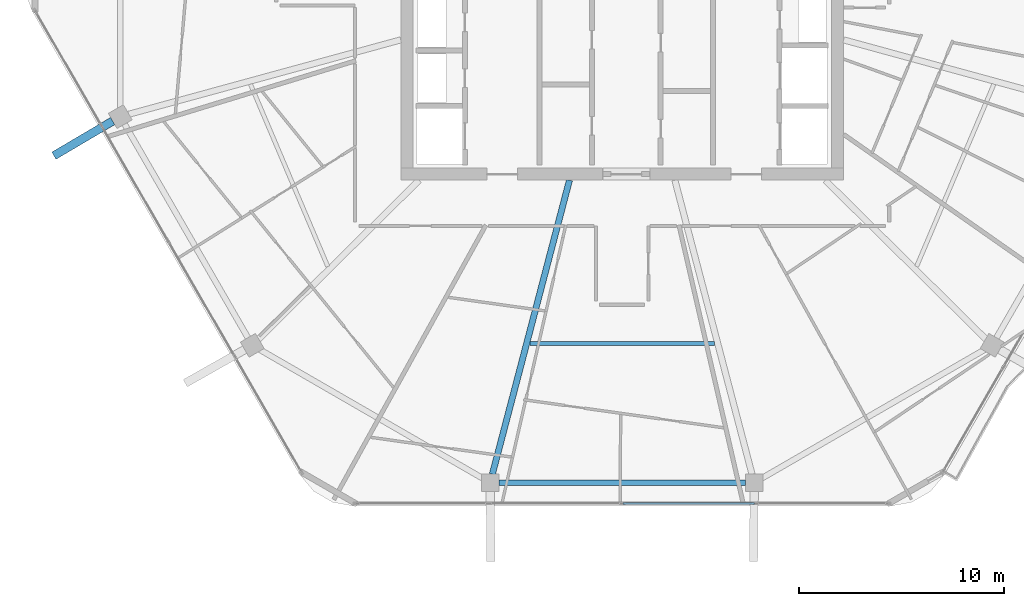
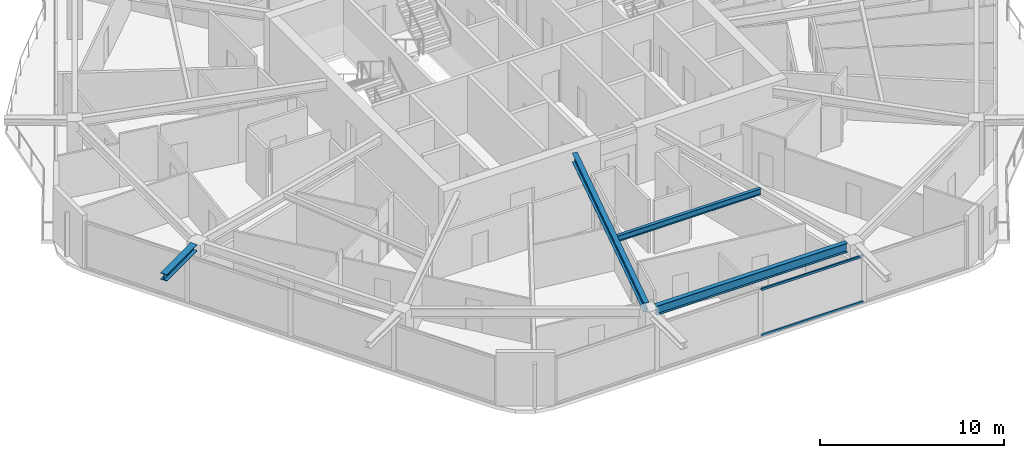
# One storey, part 4 of 26: 4 beams, 2 members, 1 element without a shape of its own.
"""IFC4 building model written with IfcOpenShell, lengths in metres."""

from ifc_helpers import new_model, si_unit, direction, frame, origin, origin_2d, place, context, subcontext, project, spatial, hollow_rectangle, i_section, extrude, material, material_profile, profile_set, type_object, element, aggregate, save


model = new_model("IFC4")

# Units and contexts
model_context = context("Model", 3, precision=1e-05, world=origin(), true_north=direction((0.0, 1.0)))
body_context = subcontext(model_context, "Body", "Model", "MODEL_VIEW")
ifc_project = project(units=[si_unit("LENGTHUNIT", "METRE"), si_unit("AREAUNIT", "SQUARE_METRE"), si_unit("VOLUMEUNIT", "CUBIC_METRE"), si_unit("PLANEANGLEUNIT", "RADIAN"), si_unit("MASSUNIT", "GRAM", prefix="KILO")], contexts=[model_context])

# Site, building, storey
site_placement = place(None, origin())
site = spatial("IfcSite", under=ifc_project, at=site_placement, CompositionType="ELEMENT")
building_placement = place(site_placement, origin())
building = spatial("IfcBuilding", under=site, at=building_placement, Name="Zuhravey Tower", CompositionType="ELEMENT")
storey_placement = place(building_placement, frame((0.0, 0.0, 280.60009765625)))
storey = spatial("IfcBuildingStorey", under=building, at=storey_placement, Name="L71", CompositionType="ELEMENT", Elevation=280.60009765625)

# Curtain wall, members
ifc_material_1 = material(Name="Thermally broken anodised aluminium", Category="aluminium")
curtain_wall_type = type_object("IfcCurtainWallType", Name="Zone 3-4 High-Rise Curtain Wall CW4", PredefinedType="NOTDEFINED", material=ifc_material_1)
curtain_wall_placement = place(storey_placement, origin())
curtain_wall = element("IfcCurtainWall", 1, at=curtain_wall_placement, inside=storey, type_object=curtain_wall_type, Name="L71 CW4 CW-L71-F5-1", PredefinedType="NOTDEFINED")
ifc_material_2 = material(Name="Anodised aluminium", Category="aluminium")
ifc_material_profile_1 = material_profile(ifc_material_2, hollow_rectangle(XDim=0.090087890625, YDim=0.14990234375, WallThickness=0.0048828125, at=origin_2d()), Name="ALU-RHS-90x150x5")
ifc_profile_set_1 = profile_set([ifc_material_profile_1], Name="Anodised aluminium")
member_type = type_object("IfcMemberType", Name="Curtain-Wall Transom 90x150", PredefinedType="USERDEFINED", material=ifc_profile_set_1)
member_1_placement = place(storey_placement, frame((42.46142578125, 6.436279296875, 0.044921875), z_axis=(-1.0, 0.0, 0.0), x_axis=(0.0, -1.0, 0.0)))
member_1 = element("IfcMember", 2, at=member_1_placement, type_object=member_type, Name="CW4 transom 2.1", ObjectType="TRANSOM", PredefinedType="USERDEFINED", context=body_context, shape_type="SweptSolid", body=[
    extrude(hollow_rectangle(XDim=0.090087890625, YDim=0.14990234375, WallThickness=0.0048828125, at=origin_2d()), origin(), (0.0, 0.0, 1.0), 6.41650390625),
])
member_2_placement = place(storey_placement, frame((42.46142578125, 6.436279296875, 3.076904296875), z_axis=(-1.0, 0.0, 0.0), x_axis=(0.0, -1.0, 0.0)))
member_2 = element("IfcMember", 3, at=member_2_placement, type_object=member_type, Name="CW4 transom 2.2", ObjectType="TRANSOM", PredefinedType="USERDEFINED", context=body_context, shape_type="SweptSolid", body=[
    extrude(hollow_rectangle(XDim=0.090087890625, YDim=0.14990234375, WallThickness=0.0048828125, at=origin_2d()), origin(), (0.0, 0.0, 1.0), 6.41650390625),
])
aggregate(curtain_wall, [member_1, member_2])

# Beams
ifc_material_3 = material(Name="Steel SM460", Category="steel")
ifc_material_profile_2 = material_profile(ifc_material_3, i_section(OverallWidth=0.406982421875, OverallDepth=0.427978515625, WebThickness=0.02001953125, FlangeThickness=0.034912109375, at=origin_2d()), Name="H-428x407x20x35")
ifc_profile_set_2 = profile_set([ifc_material_profile_2], Name="Steel SM460")
beam_type_1 = type_object("IfcBeamType", Name="Exoskeleton Node Tie Beam H428x407", PredefinedType="BEAM", material=ifc_profile_set_2)
beam_1_placement = place(storey_placement, frame((11.145751953125, 25.083251953125, 3.3359375), z_axis=(-0.861603813427, -0.507581391195, 0.0), x_axis=(0.507581391195, -0.861603813427, 0.0)))
element("IfcBeam", 4, at=beam_1_placement, inside=storey, type_object=beam_type_1, Name="L71 Exoskeleton Node Tie NT1-07", PredefinedType="BEAM", context=body_context, shape_type="SweptSolid", body=[
    extrude(i_section(OverallWidth=0.406982421875, OverallDepth=0.427978515625, WebThickness=0.02001953125, FlangeThickness=0.034912109375, at=origin_2d()), origin(), (0.0, 0.0, 1.0), 3.325927734375),
])
ifc_material_4 = material(Name="Steel SM355", Category="steel")
ifc_material_profile_3 = material_profile(ifc_material_4, i_section(OverallWidth=0.280029296875, OverallDepth=0.6201171875, WebThickness=0.011962890625, FlangeThickness=0.02001953125, at=origin_2d()), Name="H-620x280x12x20")
ifc_profile_set_3 = profile_set([ifc_material_profile_3], Name="Steel SM355")
beam_type_2 = type_object("IfcBeamType", Name="Perimeter Ring Beam H620x280", PredefinedType="BEAM", material=ifc_profile_set_3)
beam_2_placement = place(storey_placement, frame((29.987060546875, 7.4462890625, 3.239990234375), z_axis=(1.0, 0.0, 0.0), x_axis=(0.0, 1.0, 0.0)))
element("IfcBeam", 5, at=beam_2_placement, inside=storey, type_object=beam_type_2, Name="L71 PB3 BM-L71-PB-09", PredefinedType="BEAM", context=body_context, shape_type="SweptSolid", body=[
    extrude(i_section(OverallWidth=0.280029296875, OverallDepth=0.6201171875, WebThickness=0.011962890625, FlangeThickness=0.02001953125, at=origin_2d()), origin(), (0.0, 0.0, 1.0), 12.02587890625),
])
ifc_material_profile_4 = material_profile(ifc_material_4, i_section(OverallWidth=0.300048828125, OverallDepth=0.60009765625, WebThickness=0.011962890625, FlangeThickness=0.02001953125, at=origin_2d()), Name="H-600x300x12x20")
ifc_profile_set_4 = profile_set([ifc_material_profile_4], Name="Steel SM355")
beam_type_3 = type_object("IfcBeamType", Name="Radial Primary Girder H600x300", PredefinedType="BEAM", material=ifc_profile_set_4)
beam_3_placement = place(storey_placement, frame((33.428466796875, 22.197021484375, 3.25), z_axis=(-0.25373188956, -0.967274587809, 0.0), x_axis=(0.967274587809, -0.25373188956, 0.0)))
element("IfcBeam", 6, at=beam_3_placement, inside=storey, type_object=beam_type_3, Name="L71 RG3 BM-L71-RAD-09", PredefinedType="BEAM", context=body_context, shape_type="SweptSolid", body=[
    extrude(i_section(OverallWidth=0.300048828125, OverallDepth=0.60009765625, WebThickness=0.011962890625, FlangeThickness=0.02001953125, at=origin_2d()), origin(), (0.0, 0.0, 1.0), 14.82177734375),
])
ifc_material_profile_5 = material_profile(ifc_material_4, i_section(OverallWidth=0.199951171875, OverallDepth=0.39990234375, WebThickness=0.008056640625, FlangeThickness=0.012939453125, at=origin_2d()), Name="H-400x200x8x13")
ifc_profile_set_5 = profile_set([ifc_material_profile_5], Name="Steel SM355")
beam_type_4 = type_object("IfcBeamType", Name="Secondary Floor Joist H400x200", PredefinedType="JOIST", material=ifc_profile_set_5)
beam_4_placement = place(storey_placement, frame((31.492919921875, 14.231689453125, 3.349853515625), z_axis=(1.0, 0.0, 0.0), x_axis=(0.0, 1.0, 0.0)))
element("IfcBeam", 7, at=beam_4_placement, inside=storey, type_object=beam_type_4, Name="L71 SJ2 BM-L71-SJ-09-1", PredefinedType="JOIST", context=body_context, shape_type="SweptSolid", body=[
    extrude(i_section(OverallWidth=0.199951171875, OverallDepth=0.39990234375, WebThickness=0.008056640625, FlangeThickness=0.012939453125, at=origin_2d()), origin(), (0.0, 0.0, 1.0), 9.01416015625),
])

save(model, "model.ifc")
